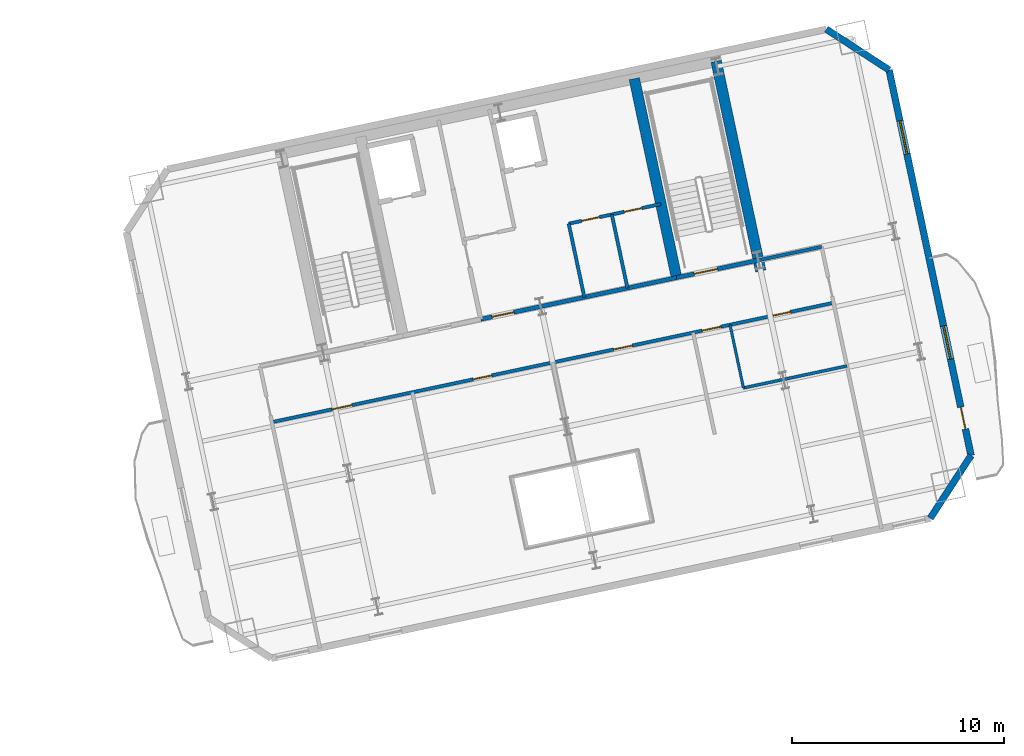
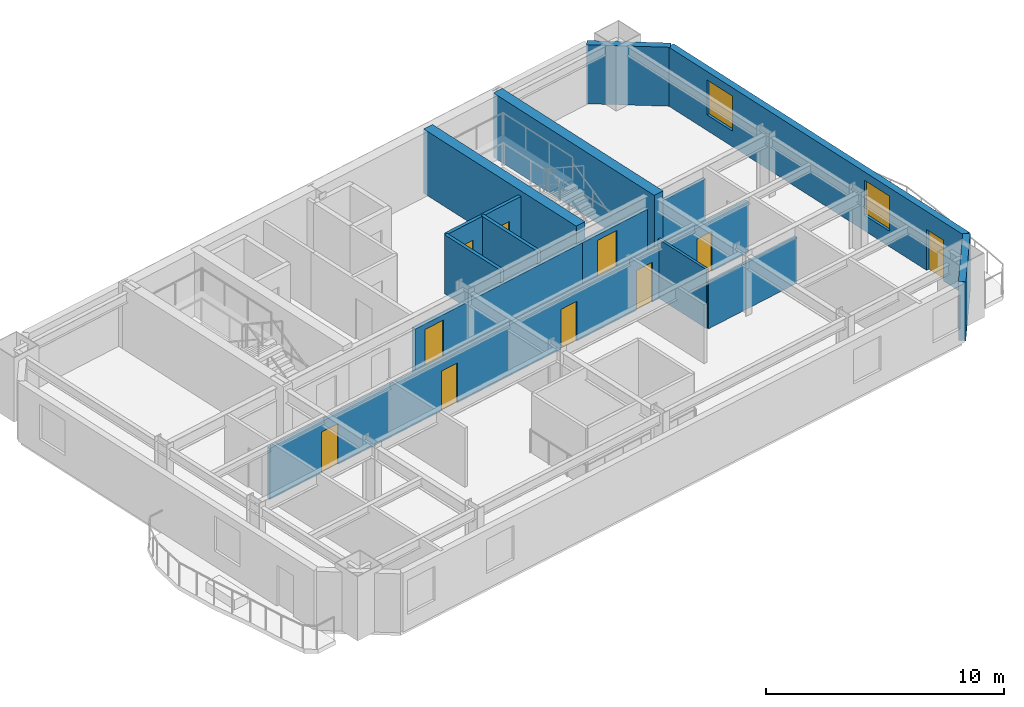
# One storey, part 8 of 13: 14 walls, 10 doors, 2 windows, 12 openings.
"""IFC4 building model written with IfcOpenShell, lengths in metres."""

import ifcopenshell
import ifcopenshell.guid

model = None  # the IFC model being written
_history = None  # IfcOwnerHistory: only IFC2X3 demands one
_inside = {}  # id of a spatial element -> (the spatial element, [elements in it])
_under = {}  # id of a project, library or spatial element -> (it, [spatial elements below it])
_declared = {}  # id of a project -> (the project, [libraries it declares])
_typed = {}  # id of a type object -> (the type object, [elements of that type])
_made_of = {}  # id of a material, layer set ... -> (it, [elements and type objects made of it])


def new_model(schema):
    """Start an empty IFC model of exactly this schema.

    Asked for "IFC4X3", IfcOpenShell would pick the latest addendum, in which some entities
    have other attributes; the version numbers below select the first issue.
    IFC2X3 requires an IfcOwnerHistory on every rooted entity: one is made here for all.
    """
    global model, _history
    if schema == "IFC4X3":
        model = ifcopenshell.file(schema_version=(4, 3, 0, 0))
    else:
        model = ifcopenshell.file(schema=schema)
    _inside.clear()
    _under.clear()
    _declared.clear()
    _typed.clear()
    _made_of.clear()
    _history = None
    if model.schema == "IFC2X3":
        org = make("IfcOrganization", Name="unknown")
        user = make(
            "IfcPersonAndOrganization",
            ThePerson=make("IfcPerson", FamilyName="unknown"),
            TheOrganization=org,
        )
        app = make(
            "IfcApplication",
            ApplicationDeveloper=org,
            Version="unknown",
            ApplicationFullName="unknown",
            ApplicationIdentifier="unknown",
        )
        _history = make(
            "IfcOwnerHistory",
            OwningUser=user,
            OwningApplication=app,
            ChangeAction="ADDED",
            CreationDate=0,
        )
    return model


def make(cls, **values):
    """One entity of the class cls with the attributes given. An attribute that is None is left unset."""
    return model.create_entity(
        cls, **{name: value for name, value in values.items() if value is not None}
    )


def rooted(cls, **values):
    """An entity with a GlobalId (a new one), such as an element, a storey or a relation."""
    return make(cls, GlobalId=ifcopenshell.guid.new(), OwnerHistory=_history, **values)


def si_unit(unit_type, name, prefix=None):
    """IfcSIUnit, for example si_unit("LENGTHUNIT", "METRE", prefix="MILLI")."""
    return make("IfcSIUnit", UnitType=unit_type, Prefix=prefix, Name=name)


def assignment(units):
    """IfcUnitAssignment: the units of a project."""
    return None if units is None else make("IfcUnitAssignment", Units=units)


def point(xyz):
    """IfcCartesianPoint."""
    return None if xyz is None else make("IfcCartesianPoint", Coordinates=xyz)


def direction(xyz):
    """IfcDirection."""
    return None if xyz is None else make("IfcDirection", DirectionRatios=xyz)


def frame(location, z_axis=None, x_axis=None):
    """IfcAxis2Placement3D, a coordinate frame: its origin and axes. An axis left out is left unset."""
    return make(
        "IfcAxis2Placement3D",
        Location=point(location),
        Axis=direction(z_axis),
        RefDirection=direction(x_axis),
    )


def frame_2d(location, x_axis=None):
    """IfcAxis2Placement2D, a coordinate frame in the plane: its origin and x axis."""
    return make(
        "IfcAxis2Placement2D", Location=point(location), RefDirection=direction(x_axis)
    )


def origin():
    """The frame at (0, 0, 0) with its axes left unset."""
    return frame((0.0, 0.0, 0.0))


def place(relative_to, where):
    """IfcLocalPlacement: puts the frame where relative to a parent placement (None: the world)."""
    return make(
        "IfcLocalPlacement", PlacementRelTo=relative_to, RelativePlacement=where
    )


def context(
    kind, dimensions, precision=None, world=None, true_north=None, identifier=None
):
    """IfcGeometricRepresentationContext, for example the 3D "Model" context."""
    return make(
        "IfcGeometricRepresentationContext",
        ContextIdentifier=identifier,
        ContextType=kind,
        CoordinateSpaceDimension=dimensions,
        Precision=precision,
        WorldCoordinateSystem=world,
        TrueNorth=true_north,
    )


def subcontext(parent, identifier, kind, view, scale=None):
    """IfcGeometricRepresentationSubContext, for example "Body" below "Model"."""
    return make(
        "IfcGeometricRepresentationSubContext",
        ContextIdentifier=identifier,
        ContextType=kind,
        ParentContext=parent,
        TargetScale=scale,
        TargetView=view,
    )


def project(units=None, contexts=None):
    """IfcProject with its units and contexts."""
    return rooted(
        "IfcProject",
        Name="project",
        RepresentationContexts=contexts,
        UnitsInContext=assignment(units),
    )


def spatial(cls, under=None, at=None, **own):
    """A site, building, storey or space (cls), placed at a placement, below another one or the project."""
    s = rooted(cls, ObjectPlacement=at, **own)
    if under is not None:
        _under.setdefault(under.id(), (under, []))[1].append(s)
    return s


def profile(cls, at=None, kind="AREA", **sizes):
    """A parametric profile (cls). Its sizes go by their IFC names, for example OverallWidth=200.0."""
    return make(cls, ProfileType=kind, Position=at, **sizes)


def rectangle(**sizes):
    """IfcRectangleProfileDef."""
    return profile("IfcRectangleProfileDef", **sizes)


def extrude(swept, where, along, depth):
    """IfcExtrudedAreaSolid: the profile swept, set in the frame where, extruded along a direction by depth."""
    return make(
        "IfcExtrudedAreaSolid",
        SweptArea=swept,
        Position=where,
        ExtrudedDirection=direction(along),
        Depth=depth,
    )


def shape(context_of_items, identifier, shape_type, items):
    """IfcShapeRepresentation: the items that make up one representation, for example the "Body"."""
    return make(
        "IfcShapeRepresentation",
        ContextOfItems=context_of_items,
        RepresentationIdentifier=identifier,
        RepresentationType=shape_type,
        Items=items,
    )


def material(Name=None, Category=None):
    """IfcMaterial."""
    return make("IfcMaterial", Name=Name, Category=Category)


def layer(
    of_material, thickness, ventilated=None, Name=None, Category=None, Priority=None
):
    """IfcMaterialLayer: one layer of a wall or slab, of a material (None: an air gap)."""
    return make(
        "IfcMaterialLayer",
        Material=of_material,
        LayerThickness=thickness,
        IsVentilated=ventilated,
        Name=Name,
        Category=Category,
        Priority=Priority,
    )


def layer_set(layers, Name=None):
    """IfcMaterialLayerSet."""
    return make("IfcMaterialLayerSet", MaterialLayers=layers, LayerSetName=Name)


def made_of(thing, what):
    """Note that an element or type object is made of a material, layer set ...; save() writes the relation."""
    if what is not None:
        _made_of.setdefault(what.id(), (what, []))[1].append(thing)
    return thing


def type_object(cls, material=None, **own):
    """A type object (cls), such as IfcWallType, which elements share."""
    return made_of(rooted(cls, **own), material)


def element(
    cls,
    number,
    at=None,
    inside=None,
    cuts=None,
    type_object=None,
    material=None,
    context=None,
    identifier="Body",
    shape_type=None,
    held_by="IfcProductDefinitionShape",
    body=None,
    shapes=None,
    **own,
):
    """One element of the class cls, such as IfcWall. Its Tag is "e" and its number.

    at: its placement. inside: the storey or other place that contains it. cuts: it is an
    opening in that element (IfcRelVoidsElement). A single representation is given by context,
    identifier, shape_type and body (its items); several are given by shapes. held_by: the class
    of the entity that holds the representations. save() writes the other relations.
    """
    e = rooted(cls, Tag="e%d" % number, ObjectPlacement=at, **own)
    if body is not None:
        shapes = [shape(context, identifier, shape_type, body)]
    if shapes is not None:
        e.Representation = make(held_by, Representations=shapes)
    if inside is not None:
        _inside.setdefault(inside.id(), (inside, []))[1].append(e)
    if cuts is not None:
        rooted(
            "IfcRelVoidsElement", RelatingBuildingElement=cuts, RelatedOpeningElement=e
        )
    if type_object is not None:
        _typed.setdefault(type_object.id(), (type_object, []))[1].append(e)
    return made_of(e, material)


def fill(opening, filler):
    """IfcRelFillsElement: the door or window that sits in an opening."""
    return rooted(
        "IfcRelFillsElement",
        RelatingOpeningElement=opening,
        RelatedBuildingElement=filler,
    )


def aggregate(whole, parts):
    """IfcRelAggregates: a whole, such as a stair, and the parts it consists of."""
    return rooted("IfcRelAggregates", RelatingObject=whole, RelatedObjects=parts)


def save(model, path):
    """Write the relations noted so far, then the file.

    IfcRelAggregates (storeys below a building ...), IfcRelContainedInSpatialStructure (elements
    in a storey), IfcRelDefinesByType, IfcRelAssociatesMaterial and IfcRelDeclares: one each for
    every whole, place, type object, material and project.
    """
    for whole, parts in _under.values():
        aggregate(whole, parts)
    for where, things in _inside.values():
        rooted(
            "IfcRelContainedInSpatialStructure",
            RelatedElements=things,
            RelatingStructure=where,
        )
    for kind, things in _typed.values():
        rooted("IfcRelDefinesByType", RelatedObjects=things, RelatingType=kind)
    for what, things in _made_of.values():
        rooted("IfcRelAssociatesMaterial", RelatedObjects=things, RelatingMaterial=what)
    for by, libraries in _declared.values():
        rooted("IfcRelDeclares", RelatingContext=by, RelatedDefinitions=libraries)
    model.write(path)


model = new_model("IFC4")

# Units and contexts
model_context = context("Model", 3, precision=1e-05, world=origin(), true_north=direction((0.0, 1.0)))
body_context = subcontext(model_context, "Body", "Model", "MODEL_VIEW")
ifc_project = project(units=[si_unit("LENGTHUNIT", "METRE"), si_unit("AREAUNIT", "SQUARE_METRE"), si_unit("VOLUMEUNIT", "CUBIC_METRE"), si_unit("PLANEANGLEUNIT", "RADIAN"), si_unit("MASSUNIT", "GRAM", prefix="KILO")], contexts=[model_context])

# Site, building, storey
site_placement = place(None, origin())
site = spatial("IfcSite", under=ifc_project, at=site_placement, CompositionType="ELEMENT")
building_placement = place(site_placement, origin())
building = spatial("IfcBuilding", under=site, at=building_placement, Name="Haevon Station Towers", CompositionType="ELEMENT")
storey_placement = place(building_placement, frame((0.0, 0.0, 126.300048828125)))
storey = spatial("IfcBuildingStorey", under=building, at=storey_placement, Name="L34", CompositionType="ELEMENT", Elevation=126.300048828125)

# Wall, opening, door
ifc_material_1 = material(Name="Gypsum board on steel stud", Category="steel")
ifc_layer_1 = layer(ifc_material_1, 0.199951171875)
ifc_layer_set_1 = layer_set([ifc_layer_1], Name="Gypsum board on steel stud")
wall_type_1 = type_object("IfcWallType", Name="WL-COR200", PredefinedType="PARTITIONING", material=ifc_layer_set_1)
wall_1_placement = place(storey_placement, frame((115.4296875, 40.9873046875, 0.0), z_axis=(0.0, 0.0, 1.0), x_axis=(0.978146596989, 0.207916413008, 0.0)))
wall_1 = element("IfcWall", 1, at=wall_1_placement, inside=storey, type_object=wall_type_1, Name="WL-ST-ST4-L34", PredefinedType="PARTITIONING", context=body_context, shape_type="SweptSolid", body=[
    extrude(rectangle(XDim=3.9501953125, YDim=0.199951171875, at=frame_2d((1.97509765625, 0.0))), origin(), (0.0, 0.0, 1.0), 2.3798828125),
])
opening_1_placement = place(wall_1_placement, frame((0.85009765625, 0.0, 0.0)))
opening_1 = element("IfcOpeningElement", 2, at=opening_1_placement, cuts=wall_1, Name="Opening DR-ST-ST4-L34", PredefinedType="OPENING", context=body_context, shape_type="SweptSolid", body=[
    extrude(rectangle(XDim=1.1201171875, YDim=2.10009765625, at=frame_2d((0.56005859375, 1.050048828125))), frame((0.0, 0.10986328125, 0.0), z_axis=(0.0, -1.0, 0.0), x_axis=(1.0, 0.0, 0.0)), (0.0, 0.0, 1.0), 0.219970703125),
])
ifc_material_2 = material(Name="Engineered oak timber", Category="wood")
door_type_1 = type_object("IfcDoorType", Name="DR-ST-1120", OperationType="NOTDEFINED", PredefinedType="DOOR", material=ifc_material_2)
door_1_placement = place(opening_1_placement, origin())
door_1 = element("IfcDoor", 3, at=door_1_placement, inside=storey, type_object=door_type_1, Name="L34 Escape Stair ST4 Fire Door", OperationType="SINGLE_SWING_RIGHT", OverallHeight=2.10009765625, OverallWidth=1.1201171875, PredefinedType="DOOR", context=body_context, shape_type="SweptSolid", body=[
    extrude(rectangle(XDim=1.1201171875, YDim=2.10009765625, at=frame_2d((0.56005859375, 1.050048828125))), frame((0.0, 0.02490234375, 0.0), z_axis=(0.0, -1.0, 0.0), x_axis=(1.0, 0.0, 0.0)), (0.0, 0.0, 1.0), 0.050048828125),
])
fill(opening_1, door_1)

wall_2_placement = place(storey_placement, frame((106.186279296875, 39.0224609375, 0.0), z_axis=(0.0, 0.0, 1.0), x_axis=(0.978145519981, 0.20792147975, 0.0)))
wall_2 = element("IfcWall", 4, at=wall_2_placement, inside=storey, type_object=wall_type_1, Name="WL-T2CLB-L34", PredefinedType="PARTITIONING", context=body_context, shape_type="SweptSolid", body=[
    extrude(rectangle(XDim=9.449951171875, YDim=0.199951171875, at=frame_2d((4.72509765625, 0.0))), origin(), (0.0, 0.0, 1.0), 2.3798828125),
])
opening_2_placement = place(wall_2_placement, frame((0.550048828125, 0.0, 0.0)))
opening_2 = element("IfcOpeningElement", 5, at=opening_2_placement, cuts=wall_2, Name="Opening DR-T2CLB-L34-1", PredefinedType="OPENING", context=body_context, shape_type="SweptSolid", body=[
    extrude(rectangle(XDim=1.050048828125, YDim=2.10009765625, at=frame_2d((0.52490234375, 1.050048828125))), frame((0.0, 0.10986328125, 0.0), z_axis=(0.0, -1.0, 0.0), x_axis=(1.0, 0.0, 0.0)), (0.0, 0.0, 1.0), 0.219970703125),
])
door_type_2 = type_object("IfcDoorType", Name="DR-FD60-1050", OperationType="NOTDEFINED", PredefinedType="DOOR", material=ifc_material_2)
door_2_placement = place(opening_2_placement, origin())
door_2 = element("IfcDoor", 6, at=door_2_placement, inside=storey, type_object=door_type_2, Name="L34 Tower 2 Core Lift Lobby Door 1", OperationType="SINGLE_SWING_LEFT", OverallHeight=2.10009765625, OverallWidth=1.050048828125, PredefinedType="DOOR", context=body_context, shape_type="SweptSolid", body=[
    extrude(rectangle(XDim=1.050048828125, YDim=2.10009765625, at=frame_2d((0.52490234375, 1.050048828125))), frame((0.0, 0.02490234375, 0.0), z_axis=(0.0, -1.0, 0.0), x_axis=(1.0, 0.0, 0.0)), (0.0, 0.0, 1.0), 0.050048828125),
])
fill(opening_2, door_2)

# Walls
ifc_material_3 = material(Name="Concrete C60/75", Category="concrete")
ifc_layer_2 = layer(ifc_material_3, 0.5)
ifc_layer_set_2 = layer_set([ifc_layer_2], Name="Concrete C60/75")
wall_type_2 = type_object("IfcWallType", Name="WL-CR500", PredefinedType="SHEAR", material=ifc_layer_set_2)
wall_3_placement = place(storey_placement, frame((119.401611328125, 41.2998046875, 0.0), z_axis=(0.0, 0.0, 1.0), x_axis=(-0.207904342798, 0.978149162575, 0.0)))
element("IfcWall", 7, at=wall_3_placement, inside=storey, type_object=wall_type_2, Name="WL-T2CR-L34-E", PredefinedType="SHEAR", context=body_context, shape_type="SweptSolid", body=[
    extrude(rectangle(XDim=10.1201171875, YDim=0.5, at=frame_2d((5.06005859375, 0.0))), origin(), (0.0, 0.0, 1.0), 3.300048828125),
])
wall_4_placement = place(storey_placement, frame((115.4296875, 40.9873046875, 0.0), z_axis=(0.0, 0.0, 1.0), x_axis=(-0.207903162969, 0.978149413345, 0.0)))
element("IfcWall", 8, at=wall_4_placement, inside=storey, type_object=wall_type_2, Name="WL-T2CR-L34-M2", PredefinedType="SHEAR", context=body_context, shape_type="SweptSolid", body=[
    extrude(rectangle(XDim=9.599853515625, YDim=0.5, at=frame_2d((4.7998046875, 0.0))), origin(), (0.0, 0.0, 1.0), 3.300048828125),
])
ifc_material_4 = material(Name="Precast concrete C45/55", Category="concrete")
ifc_layer_3 = layer(ifc_material_4, 0.320068359375)
ifc_layer_set_3 = layer_set([ifc_layer_3], Name="Precast concrete C45/55")
wall_type_3 = type_object("IfcWallType", Name="WL-EXT-PIER320", PredefinedType="SOLIDWALL", material=ifc_layer_set_3)
wall_5_placement = place(storey_placement, frame((122.496337890625, 52.712646484375, 0.0), z_axis=(0.0, 0.0, 1.0), x_axis=(0.838672309694, -0.544636352948, 0.0)))
element("IfcWall", 9, at=wall_5_placement, inside=storey, type_object=wall_type_3, Name="WL-T2-L34-NEC", PredefinedType="SOLIDWALL", context=body_context, shape_type="SweptSolid", body=[
    extrude(rectangle(XDim=3.535400390625, YDim=0.320068359375, at=frame_2d((1.767578125, 0.0))), origin(), (0.0, 0.0, 1.0), 3.030029296875),
])

# Wall, openings, door, windows
wall_6_placement = place(storey_placement, frame((125.46142578125, 50.787109375, 0.0), z_axis=(0.0, 0.0, 1.0), x_axis=(0.207912600897, -0.97814740729, 0.0)))
wall_6 = element("IfcWall", 10, at=wall_6_placement, inside=storey, type_object=wall_type_3, Name="WL-T2-L34-E", PredefinedType="SOLIDWALL", context=body_context, shape_type="SweptSolid", body=[
    extrude(rectangle(XDim=18.60009765625, YDim=0.320068359375, at=frame_2d((9.300048828125, 0.0))), origin(), (0.0, 0.0, 1.0), 3.030029296875),
])
opening_3_placement = place(wall_6_placement, frame((16.27490234375, 0.0, 0.0)))
opening_3 = element("IfcOpeningElement", 11, at=opening_3_placement, cuts=wall_6, Name="Opening DR-T2-SCAL-L34-E", PredefinedType="OPENING", context=body_context, shape_type="SweptSolid", body=[
    extrude(rectangle(XDim=1.050048828125, YDim=2.10009765625, at=frame_2d((0.52490234375, 1.050048828125))), frame((0.0, 0.169921875, 0.0), z_axis=(0.0, -1.0, 0.0), x_axis=(1.0, 0.0, 0.0)), (0.0, 0.0, 1.0), 0.340087890625),
])
opening_4_placement = place(wall_6_placement, frame((2.449951171875, 0.0, 0.800048828125)))
opening_4 = element("IfcOpeningElement", 12, at=opening_4_placement, cuts=wall_6, Name="Opening WN-END160", PredefinedType="OPENING", context=body_context, shape_type="SweptSolid", body=[
    extrude(rectangle(XDim=1.60009765625, YDim=1.800048828125, at=frame_2d((0.800048828125, 0.89990234375))), frame((0.0, 0.169921875, 0.0), z_axis=(0.0, -1.0, 0.0), x_axis=(1.0, 0.0, 0.0)), (0.0, 0.0, 1.0), 0.340087890625),
])
opening_5_placement = place(wall_6_placement, frame((12.35009765625, 0.0, 0.800048828125)))
opening_5 = element("IfcOpeningElement", 13, at=opening_5_placement, cuts=wall_6, Name="Opening WN-END160", PredefinedType="OPENING", context=body_context, shape_type="SweptSolid", body=[
    extrude(rectangle(XDim=1.60009765625, YDim=1.800048828125, at=frame_2d((0.800048828125, 0.89990234375))), frame((0.0, 0.169921875, 0.0), z_axis=(0.0, -1.0, 0.0), x_axis=(1.0, 0.0, 0.0)), (0.0, 0.0, 1.0), 0.340087890625),
])
ifc_material_5 = material(Name="Thermally broken anodised aluminium and laminated safety glass", Category="aluminium")
door_type_3 = type_object("IfcDoorType", Name="DR-BALC-1050", OperationType="NOTDEFINED", PredefinedType="DOOR", material=ifc_material_5)
door_3_placement = place(opening_3_placement, origin())
door_3 = element("IfcDoor", 14, at=door_3_placement, inside=storey, type_object=door_type_3, Name="Tower 2 L34 East Scalloped Balcony Door", OperationType="SINGLE_SWING_LEFT", OverallHeight=2.10009765625, OverallWidth=1.050048828125, PredefinedType="DOOR", context=body_context, shape_type="SweptSolid", body=[
    extrude(rectangle(XDim=1.050048828125, YDim=2.10009765625, at=frame_2d((0.52490234375, 1.050048828125))), frame((0.0, 0.02490234375, 0.0), z_axis=(0.0, -1.0, 0.0), x_axis=(1.0, 0.0, 0.0)), (0.0, 0.0, 1.0), 0.050048828125),
])
fill(opening_3, door_3)
ifc_material_6 = material(Name="Low-E triple glazing in thermally broken aluminium", Category="aluminium")
window_type = type_object("IfcWindowType", Name="WN-END160", PartitioningType="SINGLE_PANEL", PredefinedType="WINDOW", material=ifc_material_6)
window_1_placement = place(opening_4_placement, origin())
window_1 = element("IfcWindow", 15, at=window_1_placement, inside=storey, type_object=window_type, Name="WN-T2-L34-E01", OverallHeight=1.800048828125, OverallWidth=1.60009765625, PartitioningType="SINGLE_PANEL", PredefinedType="WINDOW", context=body_context, shape_type="SweptSolid", body=[
    extrude(rectangle(XDim=1.60009765625, YDim=1.800048828125, at=frame_2d((0.800048828125, 0.89990234375))), frame((0.0, 0.030029296875, 0.0), z_axis=(0.0, -1.0, 0.0), x_axis=(1.0, 0.0, 0.0)), (0.0, 0.0, 1.0), 0.06005859375),
])
fill(opening_4, window_1)
window_2_placement = place(opening_5_placement, origin())
window_2 = element("IfcWindow", 16, at=window_2_placement, inside=storey, type_object=window_type, Name="WN-T2-L34-E02", OverallHeight=1.800048828125, OverallWidth=1.60009765625, PartitioningType="SINGLE_PANEL", PredefinedType="WINDOW", context=body_context, shape_type="SweptSolid", body=[
    extrude(rectangle(XDim=1.60009765625, YDim=1.800048828125, at=frame_2d((0.800048828125, 0.89990234375))), frame((0.0, 0.030029296875, 0.0), z_axis=(0.0, -1.0, 0.0), x_axis=(1.0, 0.0, 0.0)), (0.0, 0.0, 1.0), 0.06005859375),
])
fill(opening_5, window_2)

# Walls
wall_7_placement = place(storey_placement, frame((129.32861328125, 32.593505859375, 0.0), z_axis=(0.0, 0.0, 1.0), x_axis=(-0.544636352948, -0.838672309694, 0.0)))
element("IfcWall", 17, at=wall_7_placement, inside=storey, type_object=wall_type_3, Name="WL-T2-L34-SEC", PredefinedType="SOLIDWALL", context=body_context, shape_type="SweptSolid", body=[
    extrude(rectangle(XDim=3.535400390625, YDim=0.320068359375, at=frame_2d((1.767578125, 0.0))), origin(), (0.0, 0.0, 1.0), 3.030029296875),
])
ifc_layer_4 = layer(ifc_material_1, 0.125)
ifc_layer_set_4 = layer_set([ifc_layer_4], Name="Gypsum board on steel stud")
wall_type_4 = type_object("IfcWallType", Name="WL-PRT125", PredefinedType="PARTITIONING", material=ifc_layer_set_4)
wall_8_placement = place(storey_placement, frame((118.58642578125, 35.77978515625, 0.0), z_axis=(0.0, 0.0, 1.0), x_axis=(-0.207877902534, 0.978154782045, 0.0)))
element("IfcWall", 18, at=wall_8_placement, inside=storey, type_object=wall_type_4, Name="WL-T2PT-L34-15", PredefinedType="PARTITIONING", context=body_context, shape_type="SweptSolid", body=[
    extrude(rectangle(XDim=3.050048828125, YDim=0.125, at=frame_2d((1.52490234375, 0.0))), origin(), (0.0, 0.0, 1.0), 3.030029296875),
])
ifc_layer_5 = layer(ifc_material_1, 0.139892578125)
ifc_layer_set_5 = layer_set([ifc_layer_5], Name="Gypsum board on steel stud")
wall_type_5 = type_object("IfcWallType", Name="WL-PRT140", PredefinedType="PARTITIONING", material=ifc_layer_set_5)
wall_9_placement = place(storey_placement, frame((118.58642578125, 35.77978515625, 0.0), z_axis=(0.0, 0.0, 1.0), x_axis=(0.978146551768, 0.207916625754, 0.0)))
element("IfcWall", 19, at=wall_9_placement, inside=storey, type_object=wall_type_5, Name="WL-T2PT-L34-14", PredefinedType="PARTITIONING", context=body_context, shape_type="SweptSolid", body=[
    extrude(rectangle(XDim=4.9951171875, YDim=0.139892578125, at=frame_2d((2.49755859375, 0.0))), origin(), (0.0, 0.0, 1.0), 2.3798828125),
])
ifc_layer_6 = layer(ifc_material_1, 0.159912109375)
ifc_layer_set_6 = layer_set([ifc_layer_6], Name="Gypsum board on steel stud")
wall_type_6 = type_object("IfcWallType", Name="WL-PRT160", PredefinedType="PARTITIONING", material=ifc_layer_set_6)
for number, where, z_axis, x_axis, name in (
    (20, (111.076904296875, 40.06201171875, 0.0), (0.0, 0.0, 1.0), (-0.207899058817, 0.978150285663, 0.0), "WL-T2CW-L34-05"),
    (21, (113.111572265625, 40.49462890625, 0.0), (0.0, 0.0, 1.0), (-0.207899058817, 0.978150285663, 0.0), "WL-T2CW-L34-06"),
):
    element("IfcWall", number, at=place(storey_placement, frame(where, z_axis=z_axis, x_axis=x_axis)), inside=storey, type_object=wall_type_6, Name=name, PredefinedType="PARTITIONING", context=body_context, shape_type="SweptSolid", body=[
        extrude(rectangle(XDim=3.550048828125, YDim=0.159912109375, at=frame_2d((1.77490234375, 0.0))), origin(), (0.0, 0.0, 1.0), 3.030029296875),
    ])

# Wall, openings, doors
wall_10_placement = place(storey_placement, frame((110.3388671875, 43.534423828125, 0.0), z_axis=(0.0, 0.0, 1.0), x_axis=(0.978143929138, 0.207928963567, 0.0)))
wall_10 = element("IfcWall", 22, at=wall_10_placement, inside=storey, type_object=wall_type_6, Name="WL-T2CW-L34-07", PredefinedType="PARTITIONING", context=body_context, shape_type="SweptSolid", body=[
    extrude(rectangle(XDim=4.449951171875, YDim=0.159912109375, at=frame_2d((2.22509765625, 0.0))), origin(), (0.0, 0.0, 1.0), 3.030029296875),
])
opening_6_placement = place(wall_10_placement, frame((0.635009765625, 0.0, 0.0)))
opening_6 = element("IfcOpeningElement", 23, at=opening_6_placement, cuts=wall_10, Name="Opening DR-WL-T2CW-L34-07-1", PredefinedType="OPENING", context=body_context, shape_type="SweptSolid", body=[
    extrude(rectangle(XDim=0.85009765625, YDim=2.050048828125, at=frame_2d((0.425048828125, 1.02490234375))), frame((0.0, 0.08984375, 0.0), z_axis=(0.0, -1.0, 0.0), x_axis=(1.0, 0.0, 0.0)), (0.0, 0.0, 1.0), 0.179931640625),
])
opening_7_placement = place(wall_10_placement, frame((2.679931640625, 0.0, 0.0)))
opening_7 = element("IfcOpeningElement", 24, at=opening_7_placement, cuts=wall_10, Name="Opening DR-WL-T2CW-L34-07-2", PredefinedType="OPENING", context=body_context, shape_type="SweptSolid", body=[
    extrude(rectangle(XDim=0.85009765625, YDim=2.050048828125, at=frame_2d((0.425048828125, 1.02490234375))), frame((0.0, 0.08984375, 0.0), z_axis=(0.0, -1.0, 0.0), x_axis=(1.0, 0.0, 0.0)), (0.0, 0.0, 1.0), 0.179931640625),
])
door_type_4 = type_object("IfcDoorType", Name="DR-FD30-850", OperationType="NOTDEFINED", PredefinedType="DOOR", material=ifc_material_2)
door_4_placement = place(opening_6_placement, origin())
door_4 = element("IfcDoor", 25, at=door_4_placement, inside=storey, type_object=door_type_4, Name="L34 Tower 2 Core Room Door 7-1", OperationType="SINGLE_SWING_RIGHT", OverallHeight=2.050048828125, OverallWidth=0.85009765625, PredefinedType="DOOR", context=body_context, shape_type="SweptSolid", body=[
    extrude(rectangle(XDim=0.85009765625, YDim=2.050048828125, at=frame_2d((0.425048828125, 1.02490234375))), frame((0.0, 0.02490234375, 0.0), z_axis=(0.0, -1.0, 0.0), x_axis=(1.0, 0.0, 0.0)), (0.0, 0.0, 1.0), 0.050048828125),
])
fill(opening_6, door_4)
door_5_placement = place(opening_7_placement, origin())
door_5 = element("IfcDoor", 26, at=door_5_placement, inside=storey, type_object=door_type_4, Name="L34 Tower 2 Core Room Door 7-2", OperationType="SINGLE_SWING_LEFT", OverallHeight=2.050048828125, OverallWidth=0.85009765625, PredefinedType="DOOR", context=body_context, shape_type="SweptSolid", body=[
    extrude(rectangle(XDim=0.85009765625, YDim=2.050048828125, at=frame_2d((0.425048828125, 1.02490234375))), frame((0.0, 0.02490234375, 0.0), z_axis=(0.0, -1.0, 0.0), x_axis=(1.0, 0.0, 0.0)), (0.0, 0.0, 1.0), 0.050048828125),
])
fill(opening_7, door_5)

# Wall
wall_11_placement = place(storey_placement, frame((119.29345703125, 41.80859375, 0.0), z_axis=(0.0, 0.0, 1.0), x_axis=(0.978154782045, 0.207877902534, 0.0)))
element("IfcWall", 27, at=wall_11_placement, inside=storey, type_object=wall_type_6, Name="WL-T2PT-L34-02", PredefinedType="PARTITIONING", context=body_context, shape_type="SweptSolid", body=[
    extrude(rectangle(XDim=3.050048828125, YDim=0.159912109375, at=frame_2d((1.52490234375, 0.0))), origin(), (0.0, 0.0, 1.0), 2.3798828125),
])

# Wall, openings, doors
wall_12_placement = place(storey_placement, frame((96.330322265625, 34.167236328125, 0.0), z_axis=(0.0, 0.0, 1.0), x_axis=(0.978146760223, 0.207915645071, 0.0)))
wall_12 = element("IfcWall", 28, at=wall_12_placement, inside=storey, type_object=wall_type_6, Name="WL-T2PT-L34-16", PredefinedType="PARTITIONING", context=body_context, shape_type="SweptSolid", body=[
    extrude(rectangle(XDim=27.10009765625, YDim=0.159912109375, at=frame_2d((13.550048828125, 0.0))), origin(), (0.0, 0.0, 1.0), 2.6298828125),
])
opening_8_placement = place(wall_12_placement, frame((2.912109375, 0.0, 0.0)))
opening_8 = element("IfcOpeningElement", 29, at=opening_8_placement, cuts=wall_12, Name="Opening DR-WL-T2PT-L34-16-01", PredefinedType="OPENING", context=body_context, shape_type="SweptSolid", body=[
    extrude(rectangle(XDim=0.949951171875, YDim=2.10009765625, at=frame_2d((0.47509765625, 1.050048828125))), frame((0.0, 0.08984375, 0.0), z_axis=(0.0, -1.0, 0.0), x_axis=(1.0, 0.0, 0.0)), (0.0, 0.0, 1.0), 0.179931640625),
])
opening_9_placement = place(wall_12_placement, frame((9.712890625, 0.0, 0.0)))
opening_9 = element("IfcOpeningElement", 30, at=opening_9_placement, cuts=wall_12, Name="Opening DR-WL-T2PT-L34-16-02", PredefinedType="OPENING", context=body_context, shape_type="SweptSolid", body=[
    extrude(rectangle(XDim=0.89990234375, YDim=2.050048828125, at=frame_2d((0.449951171875, 1.02490234375))), frame((0.0, 0.08984375, 0.0), z_axis=(0.0, -1.0, 0.0), x_axis=(1.0, 0.0, 0.0)), (0.0, 0.0, 1.0), 0.179931640625),
])
opening_10_placement = place(wall_12_placement, frame((16.488037109375, 0.0, 0.0)))
opening_10 = element("IfcOpeningElement", 31, at=opening_10_placement, cuts=wall_12, Name="Opening DR-WL-T2PT-L34-16-03", PredefinedType="OPENING", context=body_context, shape_type="SweptSolid", body=[
    extrude(rectangle(XDim=0.89990234375, YDim=2.050048828125, at=frame_2d((0.449951171875, 1.02490234375))), frame((0.0, 0.08984375, 0.0), z_axis=(0.0, -1.0, 0.0), x_axis=(1.0, 0.0, 0.0)), (0.0, 0.0, 1.0), 0.179931640625),
])
opening_11_placement = place(wall_12_placement, frame((24.177001953125, 0.0, 0.0)))
opening_11 = element("IfcOpeningElement", 32, at=opening_11_placement, cuts=wall_12, Name="Opening DR-WL-T2PT-L34-16-04", PredefinedType="OPENING", context=body_context, shape_type="SweptSolid", body=[
    extrude(rectangle(XDim=0.85009765625, YDim=2.050048828125, at=frame_2d((0.425048828125, 1.02490234375))), frame((0.0, 0.08984375, 0.0), z_axis=(0.0, -1.0, 0.0), x_axis=(1.0, 0.0, 0.0)), (0.0, 0.0, 1.0), 0.179931640625),
])
opening_12_placement = place(wall_12_placement, frame((20.764892578125, 0.0, 0.0)))
opening_12 = element("IfcOpeningElement", 33, at=opening_12_placement, cuts=wall_12, Name="Opening DR-WL-T2PT-L34-16-05", PredefinedType="OPENING", context=body_context, shape_type="SweptSolid", body=[
    extrude(rectangle(XDim=0.89990234375, YDim=2.050048828125, at=frame_2d((0.449951171875, 1.02490234375))), frame((0.0, 0.08984375, 0.0), z_axis=(0.0, -1.0, 0.0), x_axis=(1.0, 0.0, 0.0)), (0.0, 0.0, 1.0), 0.179931640625),
])
door_6_placement = place(opening_11_placement, origin())
door_6 = element("IfcDoor", 34, at=door_6_placement, inside=storey, type_object=door_type_4, Name="L34 Tower 2 Room Door 16-4", OperationType="SINGLE_SWING_LEFT", OverallHeight=2.050048828125, OverallWidth=0.85009765625, PredefinedType="DOOR", context=body_context, shape_type="SweptSolid", body=[
    extrude(rectangle(XDim=0.85009765625, YDim=2.050048828125, at=frame_2d((0.425048828125, 1.02490234375))), frame((0.0, 0.02490234375, 0.0), z_axis=(0.0, -1.0, 0.0), x_axis=(1.0, 0.0, 0.0)), (0.0, 0.0, 1.0), 0.050048828125),
])
fill(opening_11, door_6)
door_type_5 = type_object("IfcDoorType", Name="DR-FD30-950", OperationType="NOTDEFINED", PredefinedType="DOOR", material=ifc_material_2)
door_7_placement = place(opening_8_placement, origin())
door_7 = element("IfcDoor", 35, at=door_7_placement, inside=storey, type_object=door_type_5, Name="L34 Tower 2 Room Door 16-1", OperationType="SINGLE_SWING_RIGHT", OverallHeight=2.10009765625, OverallWidth=0.949951171875, PredefinedType="DOOR", context=body_context, shape_type="SweptSolid", body=[
    extrude(rectangle(XDim=0.949951171875, YDim=2.10009765625, at=frame_2d((0.47509765625, 1.050048828125))), frame((0.0, 0.02490234375, 0.0), z_axis=(0.0, -1.0, 0.0), x_axis=(1.0, 0.0, 0.0)), (0.0, 0.0, 1.0), 0.050048828125),
])
fill(opening_8, door_7)
door_type_6 = type_object("IfcDoorType", Name="DR-INT-900", OperationType="NOTDEFINED", PredefinedType="DOOR", material=ifc_material_2)
door_8_placement = place(opening_9_placement, origin())
door_8 = element("IfcDoor", 36, at=door_8_placement, inside=storey, type_object=door_type_6, Name="L34 Tower 2 Room Door 16-2", OperationType="SINGLE_SWING_LEFT", OverallHeight=2.050048828125, OverallWidth=0.89990234375, PredefinedType="DOOR", context=body_context, shape_type="SweptSolid", body=[
    extrude(rectangle(XDim=0.89990234375, YDim=2.050048828125, at=frame_2d((0.449951171875, 1.02490234375))), frame((0.0, 0.02490234375, 0.0), z_axis=(0.0, -1.0, 0.0), x_axis=(1.0, 0.0, 0.0)), (0.0, 0.0, 1.0), 0.050048828125),
])
fill(opening_9, door_8)
door_9_placement = place(opening_10_placement, origin())
door_9 = element("IfcDoor", 37, at=door_9_placement, inside=storey, type_object=door_type_6, Name="L34 Tower 2 Room Door 16-3", OperationType="SINGLE_SWING_RIGHT", OverallHeight=2.050048828125, OverallWidth=0.89990234375, PredefinedType="DOOR", context=body_context, shape_type="SweptSolid", body=[
    extrude(rectangle(XDim=0.89990234375, YDim=2.050048828125, at=frame_2d((0.449951171875, 1.02490234375))), frame((0.0, 0.02490234375, 0.0), z_axis=(0.0, -1.0, 0.0), x_axis=(1.0, 0.0, 0.0)), (0.0, 0.0, 1.0), 0.050048828125),
])
fill(opening_10, door_9)
door_10_placement = place(opening_12_placement, origin())
door_10 = element("IfcDoor", 38, at=door_10_placement, inside=storey, type_object=door_type_6, Name="L34 Tower 2 Room Door 16-5", OperationType="SINGLE_SWING_RIGHT", OverallHeight=2.050048828125, OverallWidth=0.89990234375, PredefinedType="DOOR", context=body_context, shape_type="SweptSolid", body=[
    extrude(rectangle(XDim=0.89990234375, YDim=2.050048828125, at=frame_2d((0.449951171875, 1.02490234375))), frame((0.0, 0.02490234375, 0.0), z_axis=(0.0, -1.0, 0.0), x_axis=(1.0, 0.0, 0.0)), (0.0, 0.0, 1.0), 0.050048828125),
])
fill(opening_12, door_10)

save(model, "model.ifc")
